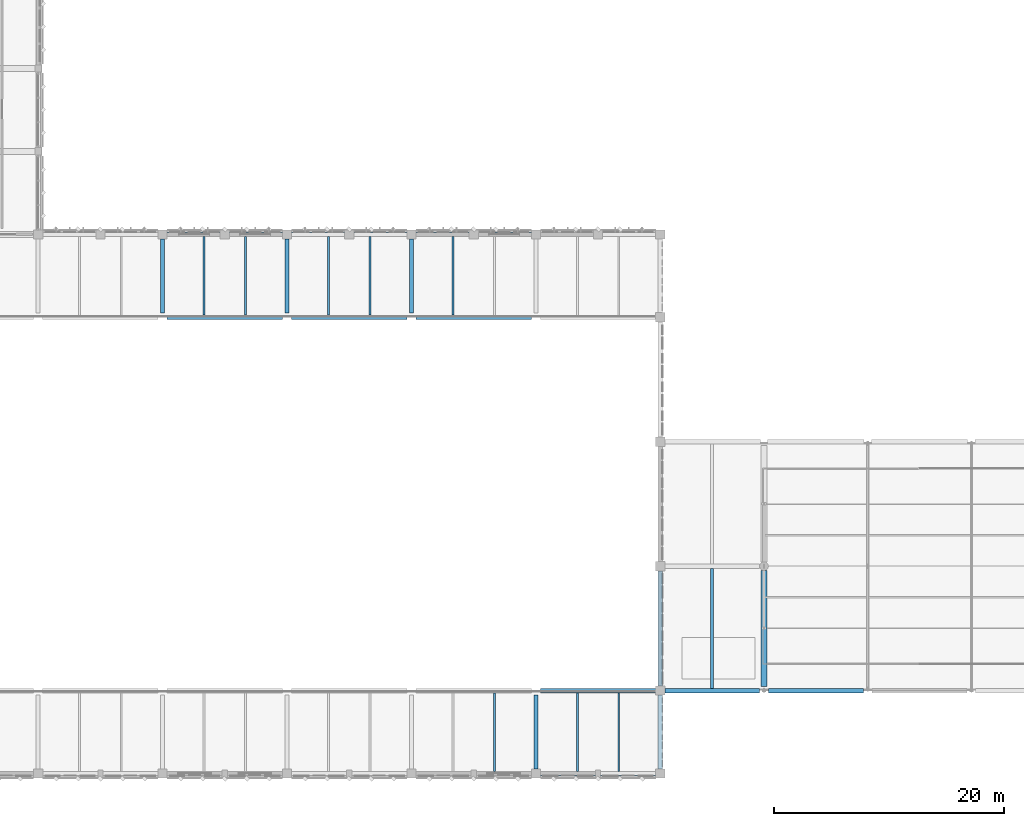
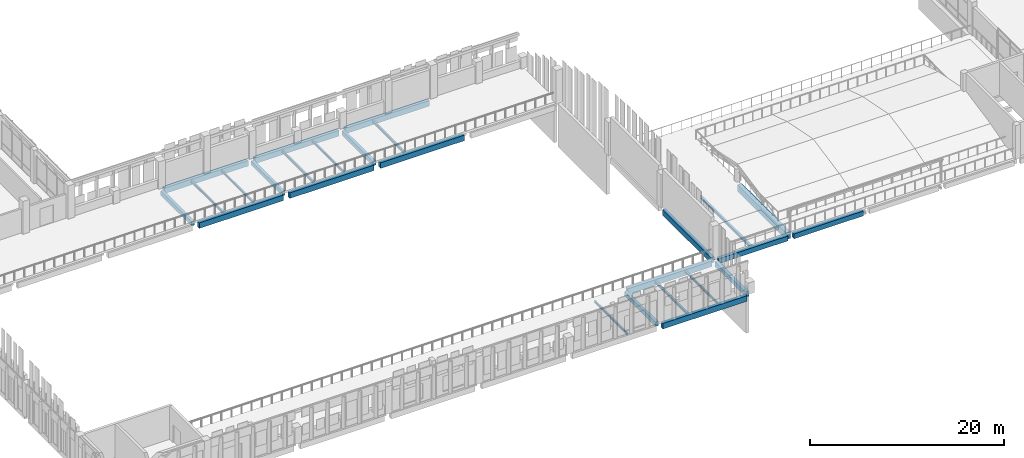
# One storey, part 15 of 158: 26 beams.
"""IFC4 building model written with IfcOpenShell, lengths in metres."""

from ifc_helpers import new_model, si_unit, direction, frame, origin, origin_2d, place, context, subcontext, project, spatial, rectangle, i_section, extrude, material, material_profile, profile_set, type_object, element, save


model = new_model("IFC4")

# Units and contexts
model_context = context("Model", 3, precision=1e-05, world=origin(), true_north=direction((0.0, 1.0)))
body_context = subcontext(model_context, "Body", "Model", "MODEL_VIEW")
ifc_project = project(units=[si_unit("LENGTHUNIT", "METRE"), si_unit("AREAUNIT", "SQUARE_METRE"), si_unit("VOLUMEUNIT", "CUBIC_METRE"), si_unit("PLANEANGLEUNIT", "RADIAN"), si_unit("MASSUNIT", "GRAM", prefix="KILO")], contexts=[model_context])

# Site, building, storey
site_placement = place(None, origin())
site = spatial("IfcSite", under=ifc_project, at=site_placement, CompositionType="ELEMENT")
building_placement = place(site_placement, origin())
building = spatial("IfcBuilding", under=site, at=building_placement, Name="Lusvemor Sports Hall", CompositionType="ELEMENT")
storey_placement = place(building_placement, frame((0.0, 0.0, 10.800048828125)))
storey = spatial("IfcBuildingStorey", under=building, at=storey_placement, Name="L02", CompositionType="ELEMENT", Elevation=10.800048828125)

# Beams
ifc_material_1 = material(Name="Concrete C40/50", Category="concrete")
ifc_material_profile_1 = material_profile(ifc_material_1, rectangle(XDim=0.35009765625, YDim=0.550048828125, at=origin_2d()), Name="RC350x550")
ifc_profile_set_1 = profile_set([ifc_material_profile_1], Name="Concrete C40/50")
beam_type_1 = type_object("IfcBeamType", Name="BEAM_RC_550", PredefinedType="BEAM", material=ifc_profile_set_1)
for number, where, z_axis, x_axis, name in (
    (1, (32.39990234375, 39.99609375, -0.53515625), (0.0, 1.0, 0.0), (-1.0, 0.0, 0.0), "Beam L02 4:E-F"),
    (2, (43.199951171875, 39.99609375, -0.53515625), (0.0, 1.0, 0.0), (-1.0, 0.0, 0.0), "Beam L02 5:E-F"),
    (3, (54.0, 39.99609375, -0.53515625), (0.0, 1.0, 0.0), (-1.0, 0.0, 0.0), "Beam L02 6:E-F"),
    (4, (64.800048828125, 0.39599609375, -0.53515625), (0.0, 1.0, 0.0), (-1.0, 0.0, 0.0), "Beam L02 7:A-B"),
):
    element("IfcBeam", number, at=place(storey_placement, frame(where, z_axis=z_axis, x_axis=x_axis)), inside=storey, type_object=beam_type_1, Name=name, PredefinedType="BEAM", context=body_context, shape_type="SweptSolid", body=[
        extrude(rectangle(XDim=0.35009765625, YDim=0.550048828125, at=origin_2d()), origin(), (0.0, 0.0, 1.0), 6.407958984375),
    ])
ifc_material_2 = material(Name="Concrete C40/50", Category="concrete")
ifc_material_profile_2 = material_profile(ifc_material_2, rectangle(XDim=0.5, YDim=0.85009765625, at=origin_2d()), Name="RC500x850")
ifc_profile_set_2 = profile_set([ifc_material_profile_2], Name="Concrete C40/50")
beam_type_2 = type_object("IfcBeamType", Name="GIRD_RC_850", PredefinedType="T_BEAM", material=ifc_profile_set_2)
beam_1_placement = place(storey_placement, frame((84.60009765625, 7.571044921875, -0.695068359375), z_axis=(0.0, 1.0, 0.0), x_axis=(-1.0, 0.0, 0.0)))
element("IfcBeam", 5, at=beam_1_placement, inside=storey, type_object=beam_type_2, Name="Beam L02 9:B-C", PredefinedType="T_BEAM", context=body_context, shape_type="SweptSolid", body=[
    extrude(rectangle(XDim=0.5, YDim=0.85009765625, at=origin_2d()), origin(), (0.0, 0.0, 1.0), 10.057861328125),
])
ifc_material_3 = material(Name="Steel S355", Category="steel")
ifc_material_profile_3 = material_profile(ifc_material_3, i_section(OverallWidth=0.14794921875, OverallDepth=0.26611328125, WebThickness=0.007568359375, FlangeThickness=0.012939453125, FilletRadius=0.012939453125, at=origin_2d()), Name="W250x44.8")
ifc_profile_set_3 = profile_set([ifc_material_profile_3], Name="Steel S355")
beam_type_3 = type_object("IfcBeamType", Name="JOIST_ST_250M", PredefinedType="JOIST", material=ifc_profile_set_3)
for number, where, z_axis, x_axis, name in (
    (6, (39.60009765625, 39.7958984375, -0.39697265625), (0.0, 1.0, 0.0), (-1.0, 0.0, 0.0), "Secondary Joist L02 4-5/E-F #2"),
    (7, (50.39990234375, 39.7958984375, -0.39697265625), (0.0, 1.0, 0.0), (-1.0, 0.0, 0.0), "Secondary Joist L02 5-6/E-F #2"),
):
    element("IfcBeam", number, at=place(storey_placement, frame(where, z_axis=z_axis, x_axis=x_axis)), inside=storey, type_object=beam_type_3, Name=name, PredefinedType="JOIST", context=body_context, shape_type="SweptSolid", body=[
        extrude(i_section(OverallWidth=0.14794921875, OverallDepth=0.26611328125, WebThickness=0.007568359375, FlangeThickness=0.012939453125, FilletRadius=0.012939453125, at=origin_2d()), origin(), (0.0, 0.0, 1.0), 6.80810546875),
    ])
for number, where, z_axis, x_axis, name in (
    (8, (61.199951171875, 0.196044921875, -0.39697265625), (0.0, 1.0, 0.0), (-1.0, 0.0, 0.0), "Secondary Joist L02 6-7/A-B #2"),
    (9, (72.0, 0.196044921875, -0.39697265625), (0.0, 1.0, 0.0), (-1.0, 0.0, 0.0), "Secondary Joist L02 7-8/A-B #2"),
):
    element("IfcBeam", number, at=place(storey_placement, frame(where, z_axis=z_axis, x_axis=x_axis)), inside=storey, type_object=beam_type_3, Name=name, PredefinedType="JOIST", context=body_context, shape_type="SweptSolid", body=[
        extrude(i_section(OverallWidth=0.14794921875, OverallDepth=0.26611328125, WebThickness=0.007568359375, FlangeThickness=0.012939453125, FilletRadius=0.012939453125, at=origin_2d()), origin(), (0.0, 0.0, 1.0), 6.807861328125),
    ])
ifc_material_4 = material(Name="Steel S355", Category="steel")
ifc_material_profile_4 = material_profile(ifc_material_4, i_section(OverallWidth=0.25390625, OverallDepth=0.305908203125, WebThickness=0.0087890625, FlangeThickness=0.0146484375, FilletRadius=0.014892578125, at=origin_2d()), Name="W310x79.0")
ifc_profile_set_4 = profile_set([ifc_material_profile_4], Name="Steel S355")
beam_type_4 = type_object("IfcBeamType", Name="JOIST_ST_310H", PredefinedType="JOIST", material=ifc_profile_set_4)
beam_2_placement = place(storey_placement, frame((80.10009765625, 7.39599609375, -0.427001953125), z_axis=(0.0, 1.0, 0.0), x_axis=(-1.0, 0.0, 0.0)))
element("IfcBeam", 10, at=beam_2_placement, inside=storey, type_object=beam_type_4, Name="Secondary Joist L02 8-9/B-C #1", PredefinedType="JOIST", context=body_context, shape_type="SweptSolid", body=[
    extrude(i_section(OverallWidth=0.25390625, OverallDepth=0.305908203125, WebThickness=0.0087890625, FlangeThickness=0.0146484375, FilletRadius=0.014892578125, at=origin_2d()), origin(), (0.0, 0.0, 1.0), 10.407958984375),
])
ifc_material_5 = material(Name="Steel S355", Category="steel")
ifc_material_profile_5 = material_profile(ifc_material_5, i_section(OverallWidth=0.1669921875, OverallDepth=0.31689453125, WebThickness=0.007568359375, FlangeThickness=0.01318359375, FilletRadius=0.014892578125, at=origin_2d()), Name="W310x52.0")
ifc_profile_set_5 = profile_set([ifc_material_profile_5], Name="Steel S355")
beam_type_5 = type_object("IfcBeamType", Name="JOIST_ST_310M", PredefinedType="JOIST", material=ifc_profile_set_5)
for number, where, z_axis, x_axis, name in (
    (11, (36.0, 39.7958984375, -0.422607421875), (0.0, 1.0, 0.0), (-1.0, 0.0, 0.0), "Secondary Joist L02 4-5/E-F #1"),
    (12, (46.800048828125, 39.7958984375, -0.422607421875), (0.0, 1.0, 0.0), (-1.0, 0.0, 0.0), "Secondary Joist L02 5-6/E-F #1"),
    (13, (57.60009765625, 39.7958984375, -0.422607421875), (0.0, 1.0, 0.0), (-1.0, 0.0, 0.0), "Secondary Joist L02 6-7/E-F #1"),
):
    element("IfcBeam", number, at=place(storey_placement, frame(where, z_axis=z_axis, x_axis=x_axis)), inside=storey, type_object=beam_type_5, Name=name, PredefinedType="JOIST", context=body_context, shape_type="SweptSolid", body=[
        extrude(i_section(OverallWidth=0.1669921875, OverallDepth=0.31689453125, WebThickness=0.007568359375, FlangeThickness=0.01318359375, FilletRadius=0.014892578125, at=origin_2d()), origin(), (0.0, 0.0, 1.0), 6.80810546875),
    ])
beam_3_placement = place(storey_placement, frame((68.39990234375, 0.196044921875, -0.422607421875), z_axis=(0.0, 1.0, 0.0), x_axis=(-1.0, 0.0, 0.0)))
element("IfcBeam", 14, at=beam_3_placement, inside=storey, type_object=beam_type_5, Name="Secondary Joist L02 7-8/A-B #1", PredefinedType="JOIST", context=body_context, shape_type="SweptSolid", body=[
    extrude(i_section(OverallWidth=0.1669921875, OverallDepth=0.31689453125, WebThickness=0.007568359375, FlangeThickness=0.01318359375, FilletRadius=0.014892578125, at=origin_2d()), origin(), (0.0, 0.0, 1.0), 6.807861328125),
])
ifc_material_6 = material(Name="Concrete C40/50", Category="concrete")
ifc_material_profile_6 = material_profile(ifc_material_6, rectangle(XDim=0.39990234375, YDim=0.610107421875, at=origin_2d()), Name="RC400x610")
ifc_profile_set_6 = profile_set([ifc_material_profile_6], Name="Concrete C40/50")
beam_type_6 = type_object("IfcBeamType", Name="SPAND_EXT_650", PredefinedType="SPANDREL", material=ifc_profile_set_6)
beam_4_placement = place(storey_placement, frame((75.99609375, 7.199951171875, -0.574951171875), z_axis=(1.0, 0.0, 0.0), x_axis=(0.0, 1.0, 0.0)))
element("IfcBeam", 15, at=beam_4_placement, inside=storey, type_object=beam_type_6, Name="Beam L02 B:8-9", PredefinedType="SPANDREL", context=body_context, shape_type="SweptSolid", body=[
    extrude(rectangle(XDim=0.39990234375, YDim=0.610107421875, at=origin_2d()), origin(), (0.0, 0.0, 1.0), 8.23291015625),
])
beam_5_placement = place(storey_placement, frame((84.970947265625, 7.199951171875, -0.574951171875), z_axis=(1.0, 0.0, 0.0), x_axis=(0.0, 1.0, 0.0)))
element("IfcBeam", 16, at=beam_5_placement, inside=storey, type_object=beam_type_6, Name="Beam L02 B:9-10", PredefinedType="SPANDREL", context=body_context, shape_type="SweptSolid", body=[
    extrude(rectangle(XDim=0.39990234375, YDim=0.610107421875, at=origin_2d()), origin(), (0.0, 0.0, 1.0), 8.258056640625),
])
beam_6_placement = place(storey_placement, frame((75.60009765625, 0.39599609375, -0.56494140625), z_axis=(0.0, 1.0, 0.0), x_axis=(-1.0, 0.0, 0.0)))
element("IfcBeam", 17, at=beam_6_placement, inside=storey, type_object=beam_type_6, Name="Beam L02 8:A-B", PredefinedType="SPANDREL", context=body_context, shape_type="SweptSolid", body=[
    extrude(rectangle(XDim=0.39990234375, YDim=0.610107421875, at=origin_2d()), origin(), (0.0, 0.0, 1.0), 6.407958984375),
])
ifc_material_7 = material(Name="Concrete C40/50", Category="concrete")
ifc_material_profile_7 = material_profile(ifc_material_7, rectangle(XDim=0.39990234375, YDim=0.699951171875, at=origin_2d()), Name="RC400x700")
ifc_profile_set_7 = profile_set([ifc_material_profile_7], Name="Concrete C40/50")
beam_type_7 = type_object("IfcBeamType", Name="SPAND_EXT_700", PredefinedType="SPANDREL", material=ifc_profile_set_7)
for number, where, z_axis, x_axis, name in (
    (18, (65.196044921875, 0.0, -0.610107421875), (1.0, 0.0, 0.0), (0.0, 1.0, 0.0), "Beam L02 A:7-8"),
    (19, (65.196044921875, 7.199951171875, -0.610107421875), (1.0, 0.0, 0.0), (0.0, 1.0, 0.0), "Beam L02 B:7-8"),
    (20, (32.7958984375, 39.60009765625, -0.610107421875), (1.0, 0.0, 0.0), (0.0, 1.0, 0.0), "Beam L02 E:4-5"),
    (21, (43.595947265625, 39.60009765625, -0.610107421875), (1.0, 0.0, 0.0), (0.0, 1.0, 0.0), "Beam L02 E:5-6"),
    (22, (54.39599609375, 39.60009765625, -0.610107421875), (1.0, 0.0, 0.0), (0.0, 1.0, 0.0), "Beam L02 E:6-7"),
    (23, (32.7958984375, 46.800048828125, -0.610107421875), (1.0, 0.0, 0.0), (0.0, 1.0, 0.0), "Beam L02 F:4-5"),
    (24, (43.595947265625, 46.800048828125, -0.610107421875), (1.0, 0.0, 0.0), (0.0, 1.0, 0.0), "Beam L02 F:5-6"),
    (25, (54.39599609375, 46.800048828125, -0.610107421875), (1.0, 0.0, 0.0), (0.0, 1.0, 0.0), "Beam L02 F:6-7"),
    (26, (75.60009765625, 7.595947265625, -0.6201171875), (0.0, 1.0, 0.0), (-1.0, 0.0, 0.0), "Beam L02 8:B-C"),
):
    element("IfcBeam", number, at=place(storey_placement, frame(where, z_axis=z_axis, x_axis=x_axis)), inside=storey, type_object=beam_type_7, Name=name, PredefinedType="SPANDREL", context=body_context, shape_type="SweptSolid", body=[
        extrude(rectangle(XDim=0.39990234375, YDim=0.699951171875, at=origin_2d()), origin(), (0.0, 0.0, 1.0), 10.008056640625),
    ])

save(model, "model.ifc")
